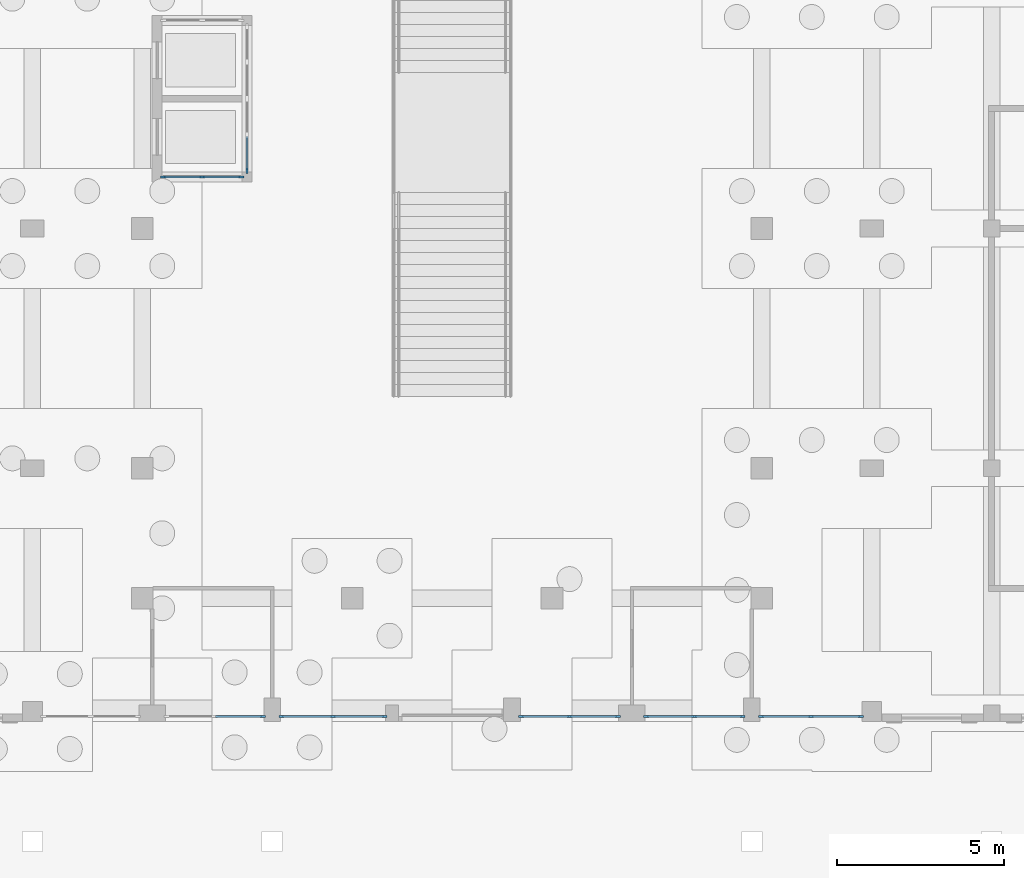
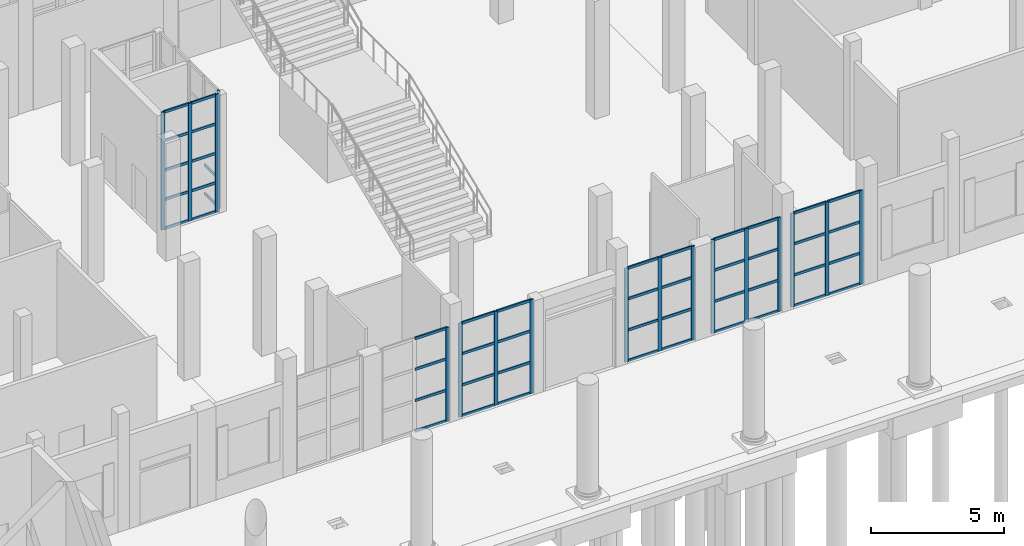
# One storey, part 11 of 80: 65 members, 7 elements without a shape of their own.
"""IFC4 building model written with IfcOpenShell, lengths in metres."""

from ifc_helpers import new_model, si_unit, direction, frame, origin, origin_2d, place, context, subcontext, project, spatial, rectangle, extrude, material, layer, layer_set, material_profile, profile_set, type_object, element, aggregate, save


model = new_model("IFC4")

# Units and contexts
model_context = context("Model", 3, precision=1e-05, world=origin(), true_north=direction((0.0, 1.0)))
body_context = subcontext(model_context, "Body", "Model", "MODEL_VIEW")
ifc_project = project(units=[si_unit("LENGTHUNIT", "METRE"), si_unit("AREAUNIT", "SQUARE_METRE"), si_unit("VOLUMEUNIT", "CUBIC_METRE"), si_unit("PLANEANGLEUNIT", "RADIAN"), si_unit("MASSUNIT", "GRAM", prefix="KILO")], contexts=[model_context])

# Site, building, storey
site_placement = place(None, origin())
site = spatial("IfcSite", under=ifc_project, at=site_placement, CompositionType="ELEMENT")
building_placement = place(site_placement, origin())
building = spatial("IfcBuilding", under=site, at=building_placement, Name="Ussher Court Research Institute", CompositionType="ELEMENT")
storey_placement = place(building_placement, origin())
storey = spatial("IfcBuildingStorey", under=building, at=storey_placement, Name="L00", CompositionType="ELEMENT", Elevation=0.0)

# Curtain wall, members
ifc_material_1 = material(Name="Bronze anodised aluminium with low-e glass", Category="aluminium")
ifc_layer_1 = layer(ifc_material_1, 0.1201171875)
ifc_layer_set_1 = layer_set([ifc_layer_1], Name="Bronze anodised aluminium with low-e glass")
curtain_wall_type_1 = type_object("IfcCurtainWallType", Name="Curtain wall atrium clear glazing", PredefinedType="NOTDEFINED", material=ifc_layer_set_1)
curtain_wall_1_placement = place(storey_placement, origin())
curtain_wall_1 = element("IfcCurtainWall", 1, at=curtain_wall_1_placement, inside=storey, type_object=curtain_wall_type_1, Name="Curtain wall CW2 L00", PredefinedType="NOTDEFINED")
ifc_material_2 = material(Name="Bronze anodised aluminium", Category="aluminium")
ifc_material_profile_1 = material_profile(ifc_material_2, rectangle(XDim=0.06005859375, YDim=0.159912109375, at=origin_2d()), Name="Mullion 60x160")
ifc_profile_set_1 = profile_set([ifc_material_profile_1], Name="Bronze anodised aluminium")
member_type_1 = type_object("IfcMemberType", Name="Mullion 60x160", PredefinedType="MULLION", material=ifc_profile_set_1)
member_1_placement = place(storey_placement, frame((63.8701171875, 10.949951171875, 0.0), z_axis=(0.0, 0.0, 1.0), x_axis=(0.0, -1.0, 0.0)))
member_1 = element("IfcMember", 2, at=member_1_placement, type_object=member_type_1, Name="CW2 mullion 1", PredefinedType="MULLION", context=body_context, shape_type="SweptSolid", body=[
    extrude(rectangle(XDim=0.06005859375, YDim=0.159912109375, at=origin_2d()), origin(), (0.0, 0.0, 1.0), 4.300048828125),
])
member_2_placement = place(storey_placement, frame((62.375, 10.949951171875, 0.0), z_axis=(0.0, 0.0, 1.0), x_axis=(0.0, -1.0, 0.0)))
member_2 = element("IfcMember", 3, at=member_2_placement, type_object=member_type_1, Name="CW2 mullion 2", PredefinedType="MULLION", context=body_context, shape_type="SweptSolid", body=[
    extrude(rectangle(XDim=0.06005859375, YDim=0.159912109375, at=origin_2d()), origin(), (0.0, 0.0, 1.0), 4.300048828125),
])
member_3_placement = place(storey_placement, frame((60.8798828125, 10.949951171875, 0.0), z_axis=(0.0, 0.0, 1.0), x_axis=(0.0, -1.0, 0.0)))
member_3 = element("IfcMember", 4, at=member_3_placement, type_object=member_type_1, Name="CW2 mullion 3", PredefinedType="MULLION", context=body_context, shape_type="SweptSolid", body=[
    extrude(rectangle(XDim=0.06005859375, YDim=0.159912109375, at=origin_2d()), origin(), (0.0, 0.0, 1.0), 4.300048828125),
])

curtain_wall_2_placement = place(storey_placement, origin())
curtain_wall_2 = element("IfcCurtainWall", 5, at=curtain_wall_2_placement, inside=storey, type_object=curtain_wall_type_1, Name="Curtain wall CW2 L00", PredefinedType="NOTDEFINED")
member_4_placement = place(storey_placement, frame((60.320068359375, 10.949951171875, 0.0), z_axis=(0.0, 0.0, 1.0), x_axis=(0.0, -1.0, 0.0)))
member_4 = element("IfcMember", 6, at=member_4_placement, type_object=member_type_1, Name="CW2 mullion 1", PredefinedType="MULLION", context=body_context, shape_type="SweptSolid", body=[
    extrude(rectangle(XDim=0.06005859375, YDim=0.159912109375, at=origin_2d()), origin(), (0.0, 0.0, 1.0), 4.300048828125),
])
member_5_placement = place(storey_placement, frame((58.875, 10.949951171875, 0.0), z_axis=(0.0, 0.0, 1.0), x_axis=(0.0, -1.0, 0.0)))
member_5 = element("IfcMember", 7, at=member_5_placement, type_object=member_type_1, Name="CW2 mullion 2", PredefinedType="MULLION", context=body_context, shape_type="SweptSolid", body=[
    extrude(rectangle(XDim=0.06005859375, YDim=0.159912109375, at=origin_2d()), origin(), (0.0, 0.0, 1.0), 4.300048828125),
])
member_6_placement = place(storey_placement, frame((57.429931640625, 10.949951171875, 0.0), z_axis=(0.0, 0.0, 1.0), x_axis=(0.0, -1.0, 0.0)))
member_6 = element("IfcMember", 8, at=member_6_placement, type_object=member_type_1, Name="CW2 mullion 3", PredefinedType="MULLION", context=body_context, shape_type="SweptSolid", body=[
    extrude(rectangle(XDim=0.06005859375, YDim=0.159912109375, at=origin_2d()), origin(), (0.0, 0.0, 1.0), 4.300048828125),
])

ifc_material_3 = material(Name="Bronze anodised aluminium with toughened glass", Category="aluminium")
ifc_layer_2 = layer(ifc_material_3, 0.10009765625)
ifc_layer_set_2 = layer_set([ifc_layer_2], Name="Bronze anodised aluminium with toughened glass")
curtain_wall_type_2 = type_object("IfcCurtainWallType", Name="Curtain wall entrance sidelight screen", PredefinedType="NOTDEFINED", material=ifc_layer_set_2)
curtain_wall_3_placement = place(storey_placement, origin())
curtain_wall_3 = element("IfcCurtainWall", 9, at=curtain_wall_3_placement, inside=storey, type_object=curtain_wall_type_2, Name="Curtain wall CW10 L00", PredefinedType="NOTDEFINED")
member_7_placement = place(storey_placement, frame((56.570068359375, 10.949951171875, 0.0), z_axis=(0.0, 0.0, 1.0), x_axis=(0.0, -1.0, 0.0)))
member_7 = element("IfcMember", 10, at=member_7_placement, type_object=member_type_1, Name="CW10 mullion 1", PredefinedType="MULLION", context=body_context, shape_type="SweptSolid", body=[
    extrude(rectangle(XDim=0.06005859375, YDim=0.159912109375, at=origin_2d()), origin(), (0.0, 0.0, 1.0), 4.300048828125),
])
member_8_placement = place(storey_placement, frame((55.125, 10.949951171875, 0.0), z_axis=(0.0, 0.0, 1.0), x_axis=(0.0, -1.0, 0.0)))
member_8 = element("IfcMember", 11, at=member_8_placement, type_object=member_type_1, Name="CW10 mullion 2", PredefinedType="MULLION", context=body_context, shape_type="SweptSolid", body=[
    extrude(rectangle(XDim=0.06005859375, YDim=0.159912109375, at=origin_2d()), origin(), (0.0, 0.0, 1.0), 4.300048828125),
])
member_9_placement = place(storey_placement, frame((53.679931640625, 10.949951171875, 0.0), z_axis=(0.0, 0.0, 1.0), x_axis=(0.0, -1.0, 0.0)))
member_9 = element("IfcMember", 12, at=member_9_placement, type_object=member_type_1, Name="CW10 mullion 3", PredefinedType="MULLION", context=body_context, shape_type="SweptSolid", body=[
    extrude(rectangle(XDim=0.06005859375, YDim=0.159912109375, at=origin_2d()), origin(), (0.0, 0.0, 1.0), 4.300048828125),
])

curtain_wall_4_placement = place(storey_placement, origin())
curtain_wall_4 = element("IfcCurtainWall", 13, at=curtain_wall_4_placement, inside=storey, type_object=curtain_wall_type_2, Name="Curtain wall CW10 L00", PredefinedType="NOTDEFINED")
member_10_placement = place(storey_placement, frame((49.570068359375, 10.949951171875, 0.0), z_axis=(0.0, 0.0, 1.0), x_axis=(0.0, -1.0, 0.0)))
member_10 = element("IfcMember", 14, at=member_10_placement, type_object=member_type_1, Name="CW10 mullion 1", PredefinedType="MULLION", context=body_context, shape_type="SweptSolid", body=[
    extrude(rectangle(XDim=0.06005859375, YDim=0.159912109375, at=origin_2d()), origin(), (0.0, 0.0, 1.0), 4.300048828125),
])
member_11_placement = place(storey_placement, frame((48.02490234375, 10.949951171875, 0.0), z_axis=(0.0, 0.0, 1.0), x_axis=(0.0, -1.0, 0.0)))
member_11 = element("IfcMember", 15, at=member_11_placement, type_object=member_type_1, Name="CW10 mullion 2", PredefinedType="MULLION", context=body_context, shape_type="SweptSolid", body=[
    extrude(rectangle(XDim=0.06005859375, YDim=0.159912109375, at=origin_2d()), origin(), (0.0, 0.0, 1.0), 4.300048828125),
])
member_12_placement = place(storey_placement, frame((46.47998046875, 10.949951171875, 0.0), z_axis=(0.0, 0.0, 1.0), x_axis=(0.0, -1.0, 0.0)))
member_12 = element("IfcMember", 16, at=member_12_placement, type_object=member_type_1, Name="CW10 mullion 3", PredefinedType="MULLION", context=body_context, shape_type="SweptSolid", body=[
    extrude(rectangle(XDim=0.06005859375, YDim=0.159912109375, at=origin_2d()), origin(), (0.0, 0.0, 1.0), 4.300048828125),
])

# Curtain wall, member
curtain_wall_5_placement = place(storey_placement, origin())
curtain_wall_5 = element("IfcCurtainWall", 17, at=curtain_wall_5_placement, inside=storey, type_object=curtain_wall_type_1, Name="Curtain wall CW2 L00", PredefinedType="NOTDEFINED")
member_13_placement = place(storey_placement, frame((45.919921875, 10.949951171875, 0.0), z_axis=(0.0, 0.0, 1.0), x_axis=(0.0, -1.0, 0.0)))
member_13 = element("IfcMember", 18, at=member_13_placement, type_object=member_type_1, Name="CW2 mullion 1", PredefinedType="MULLION", context=body_context, shape_type="SweptSolid", body=[
    extrude(rectangle(XDim=0.06005859375, YDim=0.159912109375, at=origin_2d()), origin(), (0.0, 0.0, 1.0), 4.300048828125),
])

# Curtain wall, members
curtain_wall_6_placement = place(storey_placement, origin())
curtain_wall_6 = element("IfcCurtainWall", 19, at=curtain_wall_6_placement, inside=storey, type_object=curtain_wall_type_1, Name="Curtain wall CW2 lift shaft L00", PredefinedType="NOTDEFINED")
member_14_placement = place(storey_placement, frame((42.929931640625, 27.14990234375, 0.0), z_axis=(0.0, 0.0, 1.0), x_axis=(0.0, 1.0, 0.0)))
member_14 = element("IfcMember", 20, at=member_14_placement, type_object=member_type_1, Name="CW2 mullion 1", PredefinedType="MULLION", context=body_context, shape_type="SweptSolid", body=[
    extrude(rectangle(XDim=0.06005859375, YDim=0.159912109375, at=origin_2d()), origin(), (0.0, 0.0, 1.0), 5.39990234375),
])
member_15_placement = place(storey_placement, frame((44.10009765625, 27.14990234375, 0.0), z_axis=(0.0, 0.0, 1.0), x_axis=(0.0, 1.0, 0.0)))
member_15 = element("IfcMember", 21, at=member_15_placement, type_object=member_type_1, Name="CW2 mullion 2", PredefinedType="MULLION", context=body_context, shape_type="SweptSolid", body=[
    extrude(rectangle(XDim=0.06005859375, YDim=0.159912109375, at=origin_2d()), origin(), (0.0, 0.0, 1.0), 5.39990234375),
])
member_16_placement = place(storey_placement, frame((45.27001953125, 27.14990234375, 0.0), z_axis=(0.0, 0.0, 1.0), x_axis=(0.0, 1.0, 0.0)))
member_16 = element("IfcMember", 22, at=member_16_placement, type_object=member_type_1, Name="CW2 mullion 3", PredefinedType="MULLION", context=body_context, shape_type="SweptSolid", body=[
    extrude(rectangle(XDim=0.06005859375, YDim=0.159912109375, at=origin_2d()), origin(), (0.0, 0.0, 1.0), 5.39990234375),
])

# Curtain wall, member
curtain_wall_7_placement = place(storey_placement, origin())
curtain_wall_7 = element("IfcCurtainWall", 23, at=curtain_wall_7_placement, inside=storey, type_object=curtain_wall_type_1, Name="Curtain wall CW2 lift shaft L00", PredefinedType="NOTDEFINED")
member_17_placement = place(storey_placement, frame((45.449951171875, 27.330078125, 0.0), z_axis=(0.0, 0.0, 1.0), x_axis=(-1.0, 0.0, 0.0)))
member_17 = element("IfcMember", 24, at=member_17_placement, type_object=member_type_1, Name="CW2 mullion 1", PredefinedType="MULLION", context=body_context, shape_type="SweptSolid", body=[
    extrude(rectangle(XDim=0.06005859375, YDim=0.159912109375, at=origin_2d()), origin(), (0.0, 0.0, 1.0), 5.39990234375),
])

# Member
ifc_material_4 = material(Name="Bronze anodised aluminium", Category="aluminium")
ifc_material_profile_2 = material_profile(ifc_material_4, rectangle(XDim=0.06005859375, YDim=0.1201171875, at=origin_2d()), Name="Transom 60x120")
ifc_profile_set_2 = profile_set([ifc_material_profile_2], Name="Bronze anodised aluminium")
member_type_2 = type_object("IfcMemberType", Name="Transom 60x120", PredefinedType="USERDEFINED", material=ifc_profile_set_2)
member_18_placement = place(storey_placement, frame((63.840087890625, 10.949951171875, 0.030029296875), z_axis=(-1.0, 0.0, 0.0), x_axis=(0.0, -1.0, 0.0)))
member_18 = element("IfcMember", 25, at=member_18_placement, type_object=member_type_2, Name="CW2 transom 1.1", ObjectType="TRANSOM", PredefinedType="USERDEFINED", context=body_context, shape_type="SweptSolid", body=[
    extrude(rectangle(XDim=0.06005859375, YDim=0.1201171875, at=origin_2d()), origin(), (0.0, 0.0, 1.0), 1.43505859375),
])

member_19_placement = place(storey_placement, frame((63.840087890625, 10.949951171875, 1.433349609375), z_axis=(-1.0, 0.0, 0.0), x_axis=(0.0, -1.0, 0.0)))
member_19 = element("IfcMember", 26, at=member_19_placement, type_object=member_type_2, Name="CW2 transom 1.2", ObjectType="TRANSOM", PredefinedType="USERDEFINED", context=body_context, shape_type="SweptSolid", body=[
    extrude(rectangle(XDim=0.06005859375, YDim=0.1201171875, at=origin_2d()), origin(), (0.0, 0.0, 1.0), 1.43505859375),
])

member_20_placement = place(storey_placement, frame((63.840087890625, 10.949951171875, 2.86669921875), z_axis=(-1.0, 0.0, 0.0), x_axis=(0.0, -1.0, 0.0)))
member_20 = element("IfcMember", 27, at=member_20_placement, type_object=member_type_2, Name="CW2 transom 1.3", ObjectType="TRANSOM", PredefinedType="USERDEFINED", context=body_context, shape_type="SweptSolid", body=[
    extrude(rectangle(XDim=0.06005859375, YDim=0.1201171875, at=origin_2d()), origin(), (0.0, 0.0, 1.0), 1.43505859375),
])

member_21_placement = place(storey_placement, frame((63.840087890625, 10.949951171875, 4.27001953125), z_axis=(-1.0, 0.0, 0.0), x_axis=(0.0, -1.0, 0.0)))
member_21 = element("IfcMember", 28, at=member_21_placement, type_object=member_type_2, Name="CW2 transom 1.4", ObjectType="TRANSOM", PredefinedType="USERDEFINED", context=body_context, shape_type="SweptSolid", body=[
    extrude(rectangle(XDim=0.06005859375, YDim=0.1201171875, at=origin_2d()), origin(), (0.0, 0.0, 1.0), 1.43505859375),
])

member_22_placement = place(storey_placement, frame((62.344970703125, 10.949951171875, 0.030029296875), z_axis=(-1.0, 0.0, 0.0), x_axis=(0.0, -1.0, 0.0)))
member_22 = element("IfcMember", 29, at=member_22_placement, type_object=member_type_2, Name="CW2 transom 2.1", ObjectType="TRANSOM", PredefinedType="USERDEFINED", context=body_context, shape_type="SweptSolid", body=[
    extrude(rectangle(XDim=0.06005859375, YDim=0.1201171875, at=origin_2d()), origin(), (0.0, 0.0, 1.0), 1.43505859375),
])

member_23_placement = place(storey_placement, frame((62.344970703125, 10.949951171875, 1.433349609375), z_axis=(-1.0, 0.0, 0.0), x_axis=(0.0, -1.0, 0.0)))
member_23 = element("IfcMember", 30, at=member_23_placement, type_object=member_type_2, Name="CW2 transom 2.2", ObjectType="TRANSOM", PredefinedType="USERDEFINED", context=body_context, shape_type="SweptSolid", body=[
    extrude(rectangle(XDim=0.06005859375, YDim=0.1201171875, at=origin_2d()), origin(), (0.0, 0.0, 1.0), 1.43505859375),
])

member_24_placement = place(storey_placement, frame((62.344970703125, 10.949951171875, 2.86669921875), z_axis=(-1.0, 0.0, 0.0), x_axis=(0.0, -1.0, 0.0)))
member_24 = element("IfcMember", 31, at=member_24_placement, type_object=member_type_2, Name="CW2 transom 2.3", ObjectType="TRANSOM", PredefinedType="USERDEFINED", context=body_context, shape_type="SweptSolid", body=[
    extrude(rectangle(XDim=0.06005859375, YDim=0.1201171875, at=origin_2d()), origin(), (0.0, 0.0, 1.0), 1.43505859375),
])

member_25_placement = place(storey_placement, frame((62.344970703125, 10.949951171875, 4.27001953125), z_axis=(-1.0, 0.0, 0.0), x_axis=(0.0, -1.0, 0.0)))
member_25 = element("IfcMember", 32, at=member_25_placement, type_object=member_type_2, Name="CW2 transom 2.4", ObjectType="TRANSOM", PredefinedType="USERDEFINED", context=body_context, shape_type="SweptSolid", body=[
    extrude(rectangle(XDim=0.06005859375, YDim=0.1201171875, at=origin_2d()), origin(), (0.0, 0.0, 1.0), 1.43505859375),
])

aggregate(curtain_wall_1, [member_1, member_2, member_3, member_18, member_19, member_20, member_21, member_22, member_23, member_24, member_25])

member_26_placement = place(storey_placement, frame((60.2900390625, 10.949951171875, 0.030029296875), z_axis=(-1.0, 0.0, 0.0), x_axis=(0.0, -1.0, 0.0)))
member_26 = element("IfcMember", 33, at=member_26_placement, type_object=member_type_2, Name="CW2 transom 1.1", ObjectType="TRANSOM", PredefinedType="USERDEFINED", context=body_context, shape_type="SweptSolid", body=[
    extrude(rectangle(XDim=0.06005859375, YDim=0.1201171875, at=origin_2d()), origin(), (0.0, 0.0, 1.0), 1.385009765625),
])

member_27_placement = place(storey_placement, frame((60.2900390625, 10.949951171875, 1.433349609375), z_axis=(-1.0, 0.0, 0.0), x_axis=(0.0, -1.0, 0.0)))
member_27 = element("IfcMember", 34, at=member_27_placement, type_object=member_type_2, Name="CW2 transom 1.2", ObjectType="TRANSOM", PredefinedType="USERDEFINED", context=body_context, shape_type="SweptSolid", body=[
    extrude(rectangle(XDim=0.06005859375, YDim=0.1201171875, at=origin_2d()), origin(), (0.0, 0.0, 1.0), 1.385009765625),
])

member_28_placement = place(storey_placement, frame((60.2900390625, 10.949951171875, 2.86669921875), z_axis=(-1.0, 0.0, 0.0), x_axis=(0.0, -1.0, 0.0)))
member_28 = element("IfcMember", 35, at=member_28_placement, type_object=member_type_2, Name="CW2 transom 1.3", ObjectType="TRANSOM", PredefinedType="USERDEFINED", context=body_context, shape_type="SweptSolid", body=[
    extrude(rectangle(XDim=0.06005859375, YDim=0.1201171875, at=origin_2d()), origin(), (0.0, 0.0, 1.0), 1.385009765625),
])

member_29_placement = place(storey_placement, frame((60.2900390625, 10.949951171875, 4.27001953125), z_axis=(-1.0, 0.0, 0.0), x_axis=(0.0, -1.0, 0.0)))
member_29 = element("IfcMember", 36, at=member_29_placement, type_object=member_type_2, Name="CW2 transom 1.4", ObjectType="TRANSOM", PredefinedType="USERDEFINED", context=body_context, shape_type="SweptSolid", body=[
    extrude(rectangle(XDim=0.06005859375, YDim=0.1201171875, at=origin_2d()), origin(), (0.0, 0.0, 1.0), 1.385009765625),
])

member_30_placement = place(storey_placement, frame((58.844970703125, 10.949951171875, 0.030029296875), z_axis=(-1.0, 0.0, 0.0), x_axis=(0.0, -1.0, 0.0)))
member_30 = element("IfcMember", 37, at=member_30_placement, type_object=member_type_2, Name="CW2 transom 2.1", ObjectType="TRANSOM", PredefinedType="USERDEFINED", context=body_context, shape_type="SweptSolid", body=[
    extrude(rectangle(XDim=0.06005859375, YDim=0.1201171875, at=origin_2d()), origin(), (0.0, 0.0, 1.0), 1.385009765625),
])

member_31_placement = place(storey_placement, frame((58.844970703125, 10.949951171875, 1.433349609375), z_axis=(-1.0, 0.0, 0.0), x_axis=(0.0, -1.0, 0.0)))
member_31 = element("IfcMember", 38, at=member_31_placement, type_object=member_type_2, Name="CW2 transom 2.2", ObjectType="TRANSOM", PredefinedType="USERDEFINED", context=body_context, shape_type="SweptSolid", body=[
    extrude(rectangle(XDim=0.06005859375, YDim=0.1201171875, at=origin_2d()), origin(), (0.0, 0.0, 1.0), 1.385009765625),
])

member_32_placement = place(storey_placement, frame((58.844970703125, 10.949951171875, 2.86669921875), z_axis=(-1.0, 0.0, 0.0), x_axis=(0.0, -1.0, 0.0)))
member_32 = element("IfcMember", 39, at=member_32_placement, type_object=member_type_2, Name="CW2 transom 2.3", ObjectType="TRANSOM", PredefinedType="USERDEFINED", context=body_context, shape_type="SweptSolid", body=[
    extrude(rectangle(XDim=0.06005859375, YDim=0.1201171875, at=origin_2d()), origin(), (0.0, 0.0, 1.0), 1.385009765625),
])

member_33_placement = place(storey_placement, frame((58.844970703125, 10.949951171875, 4.27001953125), z_axis=(-1.0, 0.0, 0.0), x_axis=(0.0, -1.0, 0.0)))
member_33 = element("IfcMember", 40, at=member_33_placement, type_object=member_type_2, Name="CW2 transom 2.4", ObjectType="TRANSOM", PredefinedType="USERDEFINED", context=body_context, shape_type="SweptSolid", body=[
    extrude(rectangle(XDim=0.06005859375, YDim=0.1201171875, at=origin_2d()), origin(), (0.0, 0.0, 1.0), 1.385009765625),
])

aggregate(curtain_wall_2, [member_4, member_5, member_6, member_26, member_27, member_28, member_29, member_30, member_31, member_32, member_33])

member_34_placement = place(storey_placement, frame((56.5400390625, 10.949951171875, 0.030029296875), z_axis=(-1.0, 0.0, 0.0), x_axis=(0.0, -1.0, 0.0)))
member_34 = element("IfcMember", 41, at=member_34_placement, type_object=member_type_2, Name="CW10 transom 1.1", ObjectType="TRANSOM", PredefinedType="USERDEFINED", context=body_context, shape_type="SweptSolid", body=[
    extrude(rectangle(XDim=0.06005859375, YDim=0.1201171875, at=origin_2d()), origin(), (0.0, 0.0, 1.0), 1.385009765625),
])

member_35_placement = place(storey_placement, frame((56.5400390625, 10.949951171875, 1.433349609375), z_axis=(-1.0, 0.0, 0.0), x_axis=(0.0, -1.0, 0.0)))
member_35 = element("IfcMember", 42, at=member_35_placement, type_object=member_type_2, Name="CW10 transom 1.2", ObjectType="TRANSOM", PredefinedType="USERDEFINED", context=body_context, shape_type="SweptSolid", body=[
    extrude(rectangle(XDim=0.06005859375, YDim=0.1201171875, at=origin_2d()), origin(), (0.0, 0.0, 1.0), 1.385009765625),
])

member_36_placement = place(storey_placement, frame((56.5400390625, 10.949951171875, 2.86669921875), z_axis=(-1.0, 0.0, 0.0), x_axis=(0.0, -1.0, 0.0)))
member_36 = element("IfcMember", 43, at=member_36_placement, type_object=member_type_2, Name="CW10 transom 1.3", ObjectType="TRANSOM", PredefinedType="USERDEFINED", context=body_context, shape_type="SweptSolid", body=[
    extrude(rectangle(XDim=0.06005859375, YDim=0.1201171875, at=origin_2d()), origin(), (0.0, 0.0, 1.0), 1.385009765625),
])

member_37_placement = place(storey_placement, frame((56.5400390625, 10.949951171875, 4.27001953125), z_axis=(-1.0, 0.0, 0.0), x_axis=(0.0, -1.0, 0.0)))
member_37 = element("IfcMember", 44, at=member_37_placement, type_object=member_type_2, Name="CW10 transom 1.4", ObjectType="TRANSOM", PredefinedType="USERDEFINED", context=body_context, shape_type="SweptSolid", body=[
    extrude(rectangle(XDim=0.06005859375, YDim=0.1201171875, at=origin_2d()), origin(), (0.0, 0.0, 1.0), 1.385009765625),
])

member_38_placement = place(storey_placement, frame((55.094970703125, 10.949951171875, 0.030029296875), z_axis=(-1.0, 0.0, 0.0), x_axis=(0.0, -1.0, 0.0)))
member_38 = element("IfcMember", 45, at=member_38_placement, type_object=member_type_2, Name="CW10 transom 2.1", ObjectType="TRANSOM", PredefinedType="USERDEFINED", context=body_context, shape_type="SweptSolid", body=[
    extrude(rectangle(XDim=0.06005859375, YDim=0.1201171875, at=origin_2d()), origin(), (0.0, 0.0, 1.0), 1.385009765625),
])

member_39_placement = place(storey_placement, frame((55.094970703125, 10.949951171875, 1.433349609375), z_axis=(-1.0, 0.0, 0.0), x_axis=(0.0, -1.0, 0.0)))
member_39 = element("IfcMember", 46, at=member_39_placement, type_object=member_type_2, Name="CW10 transom 2.2", ObjectType="TRANSOM", PredefinedType="USERDEFINED", context=body_context, shape_type="SweptSolid", body=[
    extrude(rectangle(XDim=0.06005859375, YDim=0.1201171875, at=origin_2d()), origin(), (0.0, 0.0, 1.0), 1.385009765625),
])

member_40_placement = place(storey_placement, frame((55.094970703125, 10.949951171875, 2.86669921875), z_axis=(-1.0, 0.0, 0.0), x_axis=(0.0, -1.0, 0.0)))
member_40 = element("IfcMember", 47, at=member_40_placement, type_object=member_type_2, Name="CW10 transom 2.3", ObjectType="TRANSOM", PredefinedType="USERDEFINED", context=body_context, shape_type="SweptSolid", body=[
    extrude(rectangle(XDim=0.06005859375, YDim=0.1201171875, at=origin_2d()), origin(), (0.0, 0.0, 1.0), 1.385009765625),
])

member_41_placement = place(storey_placement, frame((55.094970703125, 10.949951171875, 4.27001953125), z_axis=(-1.0, 0.0, 0.0), x_axis=(0.0, -1.0, 0.0)))
member_41 = element("IfcMember", 48, at=member_41_placement, type_object=member_type_2, Name="CW10 transom 2.4", ObjectType="TRANSOM", PredefinedType="USERDEFINED", context=body_context, shape_type="SweptSolid", body=[
    extrude(rectangle(XDim=0.06005859375, YDim=0.1201171875, at=origin_2d()), origin(), (0.0, 0.0, 1.0), 1.385009765625),
])

aggregate(curtain_wall_3, [member_7, member_8, member_9, member_34, member_35, member_36, member_37, member_38, member_39, member_40, member_41])

member_42_placement = place(storey_placement, frame((49.5400390625, 10.949951171875, 0.030029296875), z_axis=(-1.0, 0.0, 0.0), x_axis=(0.0, -1.0, 0.0)))
member_42 = element("IfcMember", 49, at=member_42_placement, type_object=member_type_2, Name="CW10 transom 1.1", ObjectType="TRANSOM", PredefinedType="USERDEFINED", context=body_context, shape_type="SweptSolid", body=[
    extrude(rectangle(XDim=0.06005859375, YDim=0.1201171875, at=origin_2d()), origin(), (0.0, 0.0, 1.0), 1.485107421875),
])

member_43_placement = place(storey_placement, frame((49.5400390625, 10.949951171875, 1.433349609375), z_axis=(-1.0, 0.0, 0.0), x_axis=(0.0, -1.0, 0.0)))
member_43 = element("IfcMember", 50, at=member_43_placement, type_object=member_type_2, Name="CW10 transom 1.2", ObjectType="TRANSOM", PredefinedType="USERDEFINED", context=body_context, shape_type="SweptSolid", body=[
    extrude(rectangle(XDim=0.06005859375, YDim=0.1201171875, at=origin_2d()), origin(), (0.0, 0.0, 1.0), 1.485107421875),
])

member_44_placement = place(storey_placement, frame((49.5400390625, 10.949951171875, 2.86669921875), z_axis=(-1.0, 0.0, 0.0), x_axis=(0.0, -1.0, 0.0)))
member_44 = element("IfcMember", 51, at=member_44_placement, type_object=member_type_2, Name="CW10 transom 1.3", ObjectType="TRANSOM", PredefinedType="USERDEFINED", context=body_context, shape_type="SweptSolid", body=[
    extrude(rectangle(XDim=0.06005859375, YDim=0.1201171875, at=origin_2d()), origin(), (0.0, 0.0, 1.0), 1.485107421875),
])

member_45_placement = place(storey_placement, frame((49.5400390625, 10.949951171875, 4.27001953125), z_axis=(-1.0, 0.0, 0.0), x_axis=(0.0, -1.0, 0.0)))
member_45 = element("IfcMember", 52, at=member_45_placement, type_object=member_type_2, Name="CW10 transom 1.4", ObjectType="TRANSOM", PredefinedType="USERDEFINED", context=body_context, shape_type="SweptSolid", body=[
    extrude(rectangle(XDim=0.06005859375, YDim=0.1201171875, at=origin_2d()), origin(), (0.0, 0.0, 1.0), 1.485107421875),
])

member_46_placement = place(storey_placement, frame((47.9951171875, 10.949951171875, 0.030029296875), z_axis=(-1.0, 0.0, 0.0), x_axis=(0.0, -1.0, 0.0)))
member_46 = element("IfcMember", 53, at=member_46_placement, type_object=member_type_2, Name="CW10 transom 2.1", ObjectType="TRANSOM", PredefinedType="USERDEFINED", context=body_context, shape_type="SweptSolid", body=[
    extrude(rectangle(XDim=0.06005859375, YDim=0.1201171875, at=origin_2d()), origin(), (0.0, 0.0, 1.0), 1.485107421875),
])

member_47_placement = place(storey_placement, frame((47.9951171875, 10.949951171875, 1.433349609375), z_axis=(-1.0, 0.0, 0.0), x_axis=(0.0, -1.0, 0.0)))
member_47 = element("IfcMember", 54, at=member_47_placement, type_object=member_type_2, Name="CW10 transom 2.2", ObjectType="TRANSOM", PredefinedType="USERDEFINED", context=body_context, shape_type="SweptSolid", body=[
    extrude(rectangle(XDim=0.06005859375, YDim=0.1201171875, at=origin_2d()), origin(), (0.0, 0.0, 1.0), 1.485107421875),
])

member_48_placement = place(storey_placement, frame((47.9951171875, 10.949951171875, 2.86669921875), z_axis=(-1.0, 0.0, 0.0), x_axis=(0.0, -1.0, 0.0)))
member_48 = element("IfcMember", 55, at=member_48_placement, type_object=member_type_2, Name="CW10 transom 2.3", ObjectType="TRANSOM", PredefinedType="USERDEFINED", context=body_context, shape_type="SweptSolid", body=[
    extrude(rectangle(XDim=0.06005859375, YDim=0.1201171875, at=origin_2d()), origin(), (0.0, 0.0, 1.0), 1.485107421875),
])

member_49_placement = place(storey_placement, frame((47.9951171875, 10.949951171875, 4.27001953125), z_axis=(-1.0, 0.0, 0.0), x_axis=(0.0, -1.0, 0.0)))
member_49 = element("IfcMember", 56, at=member_49_placement, type_object=member_type_2, Name="CW10 transom 2.4", ObjectType="TRANSOM", PredefinedType="USERDEFINED", context=body_context, shape_type="SweptSolid", body=[
    extrude(rectangle(XDim=0.06005859375, YDim=0.1201171875, at=origin_2d()), origin(), (0.0, 0.0, 1.0), 1.485107421875),
])

aggregate(curtain_wall_4, [member_10, member_11, member_12, member_42, member_43, member_44, member_45, member_46, member_47, member_48, member_49])

member_50_placement = place(storey_placement, frame((45.889892578125, 10.949951171875, 0.030029296875), z_axis=(-1.0, 0.0, 0.0), x_axis=(0.0, -1.0, 0.0)))
member_50 = element("IfcMember", 57, at=member_50_placement, type_object=member_type_2, Name="CW2 transom 1.1", ObjectType="TRANSOM", PredefinedType="USERDEFINED", context=body_context, shape_type="SweptSolid", body=[
    extrude(rectangle(XDim=0.06005859375, YDim=0.1201171875, at=origin_2d()), origin(), (0.0, 0.0, 1.0), 1.385009765625),
])

member_51_placement = place(storey_placement, frame((45.889892578125, 10.949951171875, 1.433349609375), z_axis=(-1.0, 0.0, 0.0), x_axis=(0.0, -1.0, 0.0)))
member_51 = element("IfcMember", 58, at=member_51_placement, type_object=member_type_2, Name="CW2 transom 1.2", ObjectType="TRANSOM", PredefinedType="USERDEFINED", context=body_context, shape_type="SweptSolid", body=[
    extrude(rectangle(XDim=0.06005859375, YDim=0.1201171875, at=origin_2d()), origin(), (0.0, 0.0, 1.0), 1.385009765625),
])

member_52_placement = place(storey_placement, frame((45.889892578125, 10.949951171875, 2.86669921875), z_axis=(-1.0, 0.0, 0.0), x_axis=(0.0, -1.0, 0.0)))
member_52 = element("IfcMember", 59, at=member_52_placement, type_object=member_type_2, Name="CW2 transom 1.3", ObjectType="TRANSOM", PredefinedType="USERDEFINED", context=body_context, shape_type="SweptSolid", body=[
    extrude(rectangle(XDim=0.06005859375, YDim=0.1201171875, at=origin_2d()), origin(), (0.0, 0.0, 1.0), 1.385009765625),
])

member_53_placement = place(storey_placement, frame((45.889892578125, 10.949951171875, 4.27001953125), z_axis=(-1.0, 0.0, 0.0), x_axis=(0.0, -1.0, 0.0)))
member_53 = element("IfcMember", 60, at=member_53_placement, type_object=member_type_2, Name="CW2 transom 1.4", ObjectType="TRANSOM", PredefinedType="USERDEFINED", context=body_context, shape_type="SweptSolid", body=[
    extrude(rectangle(XDim=0.06005859375, YDim=0.1201171875, at=origin_2d()), origin(), (0.0, 0.0, 1.0), 1.385009765625),
])

aggregate(curtain_wall_5, [member_13, member_50, member_51, member_52, member_53])

member_54_placement = place(storey_placement, frame((42.9599609375, 27.14990234375, 0.030029296875), z_axis=(1.0, 0.0, 0.0), x_axis=(0.0, 1.0, 0.0)))
member_54 = element("IfcMember", 61, at=member_54_placement, type_object=member_type_2, Name="CW2 transom 1.1", ObjectType="TRANSOM", PredefinedType="USERDEFINED", context=body_context, shape_type="SweptSolid", body=[
    extrude(rectangle(XDim=0.06005859375, YDim=0.1201171875, at=origin_2d()), origin(), (0.0, 0.0, 1.0), 1.110107421875),
])

member_55_placement = place(storey_placement, frame((42.9599609375, 27.14990234375, 1.35009765625), z_axis=(1.0, 0.0, 0.0), x_axis=(0.0, 1.0, 0.0)))
member_55 = element("IfcMember", 62, at=member_55_placement, type_object=member_type_2, Name="CW2 transom 1.2", ObjectType="TRANSOM", PredefinedType="USERDEFINED", context=body_context, shape_type="SweptSolid", body=[
    extrude(rectangle(XDim=0.06005859375, YDim=0.1201171875, at=origin_2d()), origin(), (0.0, 0.0, 1.0), 1.110107421875),
])

member_56_placement = place(storey_placement, frame((42.9599609375, 27.14990234375, 2.699951171875), z_axis=(1.0, 0.0, 0.0), x_axis=(0.0, 1.0, 0.0)))
member_56 = element("IfcMember", 63, at=member_56_placement, type_object=member_type_2, Name="CW2 transom 1.3", ObjectType="TRANSOM", PredefinedType="USERDEFINED", context=body_context, shape_type="SweptSolid", body=[
    extrude(rectangle(XDim=0.06005859375, YDim=0.1201171875, at=origin_2d()), origin(), (0.0, 0.0, 1.0), 1.110107421875),
])

member_57_placement = place(storey_placement, frame((42.9599609375, 27.14990234375, 4.050048828125), z_axis=(1.0, 0.0, 0.0), x_axis=(0.0, 1.0, 0.0)))
member_57 = element("IfcMember", 64, at=member_57_placement, type_object=member_type_2, Name="CW2 transom 1.4", ObjectType="TRANSOM", PredefinedType="USERDEFINED", context=body_context, shape_type="SweptSolid", body=[
    extrude(rectangle(XDim=0.06005859375, YDim=0.1201171875, at=origin_2d()), origin(), (0.0, 0.0, 1.0), 1.110107421875),
])

member_58_placement = place(storey_placement, frame((42.9599609375, 27.14990234375, 5.3701171875), z_axis=(1.0, 0.0, 0.0), x_axis=(0.0, 1.0, 0.0)))
member_58 = element("IfcMember", 65, at=member_58_placement, type_object=member_type_2, Name="CW2 transom 1.5", ObjectType="TRANSOM", PredefinedType="USERDEFINED", context=body_context, shape_type="SweptSolid", body=[
    extrude(rectangle(XDim=0.06005859375, YDim=0.1201171875, at=origin_2d()), origin(), (0.0, 0.0, 1.0), 1.110107421875),
])

member_59_placement = place(storey_placement, frame((44.1298828125, 27.14990234375, 0.030029296875), z_axis=(1.0, 0.0, 0.0), x_axis=(0.0, 1.0, 0.0)))
member_59 = element("IfcMember", 66, at=member_59_placement, type_object=member_type_2, Name="CW2 transom 2.1", ObjectType="TRANSOM", PredefinedType="USERDEFINED", context=body_context, shape_type="SweptSolid", body=[
    extrude(rectangle(XDim=0.06005859375, YDim=0.1201171875, at=origin_2d()), origin(), (0.0, 0.0, 1.0), 1.110107421875),
])

member_60_placement = place(storey_placement, frame((44.1298828125, 27.14990234375, 1.35009765625), z_axis=(1.0, 0.0, 0.0), x_axis=(0.0, 1.0, 0.0)))
member_60 = element("IfcMember", 67, at=member_60_placement, type_object=member_type_2, Name="CW2 transom 2.2", ObjectType="TRANSOM", PredefinedType="USERDEFINED", context=body_context, shape_type="SweptSolid", body=[
    extrude(rectangle(XDim=0.06005859375, YDim=0.1201171875, at=origin_2d()), origin(), (0.0, 0.0, 1.0), 1.110107421875),
])

member_61_placement = place(storey_placement, frame((44.1298828125, 27.14990234375, 2.699951171875), z_axis=(1.0, 0.0, 0.0), x_axis=(0.0, 1.0, 0.0)))
member_61 = element("IfcMember", 68, at=member_61_placement, type_object=member_type_2, Name="CW2 transom 2.3", ObjectType="TRANSOM", PredefinedType="USERDEFINED", context=body_context, shape_type="SweptSolid", body=[
    extrude(rectangle(XDim=0.06005859375, YDim=0.1201171875, at=origin_2d()), origin(), (0.0, 0.0, 1.0), 1.110107421875),
])

member_62_placement = place(storey_placement, frame((44.1298828125, 27.14990234375, 4.050048828125), z_axis=(1.0, 0.0, 0.0), x_axis=(0.0, 1.0, 0.0)))
member_62 = element("IfcMember", 69, at=member_62_placement, type_object=member_type_2, Name="CW2 transom 2.4", ObjectType="TRANSOM", PredefinedType="USERDEFINED", context=body_context, shape_type="SweptSolid", body=[
    extrude(rectangle(XDim=0.06005859375, YDim=0.1201171875, at=origin_2d()), origin(), (0.0, 0.0, 1.0), 1.110107421875),
])

member_63_placement = place(storey_placement, frame((44.1298828125, 27.14990234375, 5.3701171875), z_axis=(1.0, 0.0, 0.0), x_axis=(0.0, 1.0, 0.0)))
member_63 = element("IfcMember", 70, at=member_63_placement, type_object=member_type_2, Name="CW2 transom 2.5", ObjectType="TRANSOM", PredefinedType="USERDEFINED", context=body_context, shape_type="SweptSolid", body=[
    extrude(rectangle(XDim=0.06005859375, YDim=0.1201171875, at=origin_2d()), origin(), (0.0, 0.0, 1.0), 1.110107421875),
])

aggregate(curtain_wall_6, [member_14, member_15, member_16, member_54, member_55, member_56, member_57, member_58, member_59, member_60, member_61, member_62, member_63])

member_64_placement = place(storey_placement, frame((45.449951171875, 27.360107421875, 0.030029296875), z_axis=(0.0, 1.0, 0.0), x_axis=(-1.0, 0.0, 0.0)))
member_64 = element("IfcMember", 71, at=member_64_placement, type_object=member_type_2, Name="CW2 transom 1.1", ObjectType="TRANSOM", PredefinedType="USERDEFINED", context=body_context, shape_type="SweptSolid", body=[
    extrude(rectangle(XDim=0.06005859375, YDim=0.1201171875, at=origin_2d()), origin(), (0.0, 0.0, 1.0), 1.010009765625),
])

member_65_placement = place(storey_placement, frame((45.449951171875, 27.360107421875, 1.35009765625), z_axis=(0.0, 1.0, 0.0), x_axis=(-1.0, 0.0, 0.0)))
member_65 = element("IfcMember", 72, at=member_65_placement, type_object=member_type_2, Name="CW2 transom 1.2", ObjectType="TRANSOM", PredefinedType="USERDEFINED", context=body_context, shape_type="SweptSolid", body=[
    extrude(rectangle(XDim=0.06005859375, YDim=0.1201171875, at=origin_2d()), origin(), (0.0, 0.0, 1.0), 1.010009765625),
])

aggregate(curtain_wall_7, [member_17, member_64, member_65])

save(model, "model.ifc")
